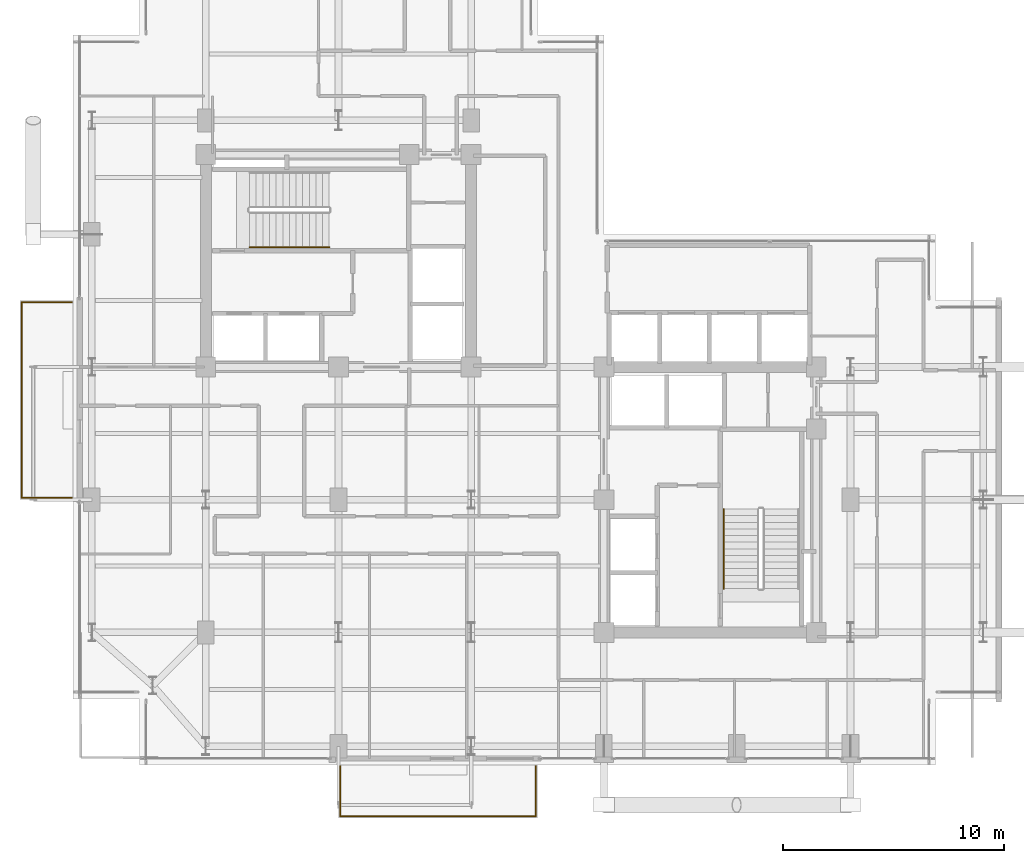
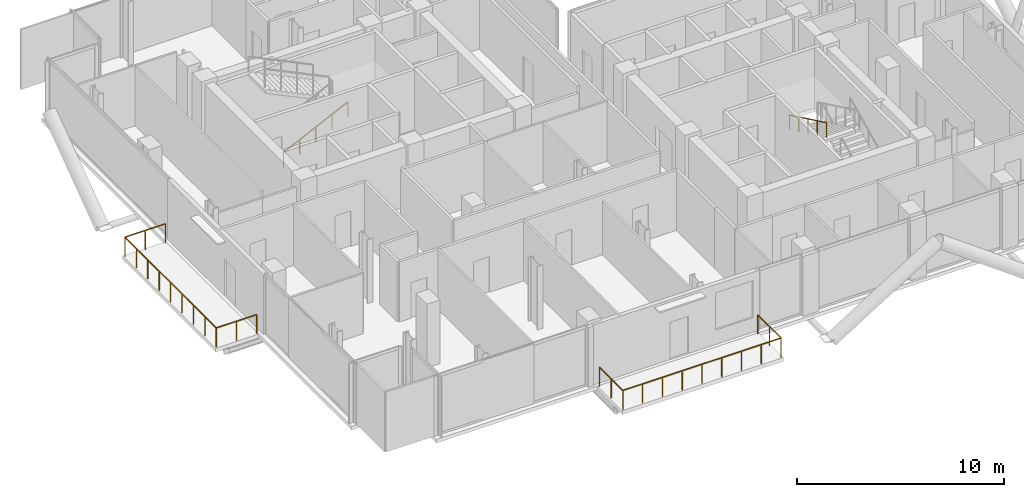
# One storey, part 21 of 22: 4 railings.
"""IFC4 building model written with IfcOpenShell, lengths in metres."""

from ifc_helpers import new_model, si_unit, direction, frame, origin, origin_2d, place, context, subcontext, project, spatial, rectangle, extrude, material, type_object, element, save


model = new_model("IFC4")

# Units and contexts
model_context = context("Model", 3, precision=1e-05, world=origin(), true_north=direction((0.0, 1.0)))
body_context = subcontext(model_context, "Body", "Model", "MODEL_VIEW")
ifc_project = project(units=[si_unit("LENGTHUNIT", "METRE"), si_unit("AREAUNIT", "SQUARE_METRE"), si_unit("VOLUMEUNIT", "CUBIC_METRE"), si_unit("PLANEANGLEUNIT", "RADIAN"), si_unit("MASSUNIT", "GRAM", prefix="KILO"), si_unit("THERMODYNAMICTEMPERATUREUNIT", "KELVIN"), si_unit("POWERUNIT", "WATT")], contexts=[model_context])

# Site, building, storey
site_placement = place(None, origin())
site = spatial("IfcSite", under=ifc_project, at=site_placement, CompositionType="ELEMENT")
building_placement = place(site_placement, origin())
building = spatial("IfcBuilding", under=site, at=building_placement, Name="Svarakhadi Broadcast Tower", CompositionType="ELEMENT")
storey_placement = place(building_placement, frame((0.0, 0.0, 191.699951171875)))
storey = spatial("IfcBuildingStorey", under=building, at=storey_placement, Name="L47", CompositionType="ELEMENT", Elevation=191.699951171875)

# Railings
ifc_material_1 = material(Name="Laminated Structural SentryGlas Balustrade 25.5 mm", Category="glass")
railing_type_1 = type_object("IfcRailingType", Name="Guard_Balcony_GR01", PredefinedType="BALUSTRADE", material=ifc_material_1)
railing_1_placement = place(storey_placement, frame((12.080078125, -0.06005859375, 0.0)))
element("IfcRailing", 1, at=railing_1_placement, inside=storey, type_object=railing_type_1, Name="L47 South Tree Balcony Guard GR-05", PredefinedType="BALUSTRADE", context=body_context, shape_type="SweptSolid", body=[
    extrude(rectangle(XDim=0.048095703125, YDim=0.048095703125, at=origin_2d()), frame((0.0, 0.0, 1.1259765625), z_axis=(0.0, -1.0, 0.0), x_axis=(1.0, 0.0, 0.0)), (0.0, 0.0, 1.0), 2.260009765625),
    extrude(rectangle(XDim=0.048095703125, YDim=0.048095703125, at=origin_2d()), frame((0.0, -2.260009765625, 1.1259765625), z_axis=(1.0, 0.0, 0.0), x_axis=(0.0, 1.0, 0.0)), (0.0, 0.0, 1.0), 8.83984375),
    extrude(rectangle(XDim=0.048095703125, YDim=0.048095703125, at=origin_2d()), frame((8.83984375, -2.260009765625, 1.1259765625), z_axis=(0.0, 1.0, 0.0), x_axis=(-1.0, 0.0, 0.0)), (0.0, 0.0, 1.0), 2.260009765625),
    extrude(rectangle(XDim=0.0419921875, YDim=0.0419921875, at=origin_2d()), origin(), (0.0, 0.0, 1.0), 1.101806640625),
    extrude(rectangle(XDim=0.0419921875, YDim=0.0419921875, at=origin_2d()), frame((0.0, -1.1298828125, 0.0)), (0.0, 0.0, 1.0), 1.101806640625),
    extrude(rectangle(XDim=0.0419921875, YDim=0.0419921875, at=origin_2d()), frame((0.0, -2.260009765625, 0.0)), (0.0, 0.0, 1.0), 1.101806640625),
    extrude(rectangle(XDim=0.0419921875, YDim=0.0419921875, at=origin_2d()), frame((1.10498046875, -2.260009765625, 0.0)), (0.0, 0.0, 1.0), 1.101806640625),
    extrude(rectangle(XDim=0.0419921875, YDim=0.0419921875, at=origin_2d()), frame((2.2099609375, -2.260009765625, 0.0)), (0.0, 0.0, 1.0), 1.101806640625),
    extrude(rectangle(XDim=0.0419921875, YDim=0.0419921875, at=origin_2d()), frame((3.31494140625, -2.260009765625, 0.0)), (0.0, 0.0, 1.0), 1.101806640625),
    extrude(rectangle(XDim=0.0419921875, YDim=0.0419921875, at=origin_2d()), frame((4.419921875, -2.260009765625, 0.0)), (0.0, 0.0, 1.0), 1.101806640625),
    extrude(rectangle(XDim=0.0419921875, YDim=0.0419921875, at=origin_2d()), frame((5.52490234375, -2.260009765625, 0.0)), (0.0, 0.0, 1.0), 1.101806640625),
    extrude(rectangle(XDim=0.0419921875, YDim=0.0419921875, at=origin_2d()), frame((6.6298828125, -2.260009765625, 0.0)), (0.0, 0.0, 1.0), 1.101806640625),
    extrude(rectangle(XDim=0.0419921875, YDim=0.0419921875, at=origin_2d()), frame((7.73486328125, -2.260009765625, 0.0)), (0.0, 0.0, 1.0), 1.101806640625),
    extrude(rectangle(XDim=0.0419921875, YDim=0.0419921875, at=origin_2d()), frame((8.83984375, -2.260009765625, 0.0)), (0.0, 0.0, 1.0), 1.101806640625),
    extrude(rectangle(XDim=0.0419921875, YDim=0.0419921875, at=origin_2d()), frame((8.83984375, -1.1298828125, 0.0)), (0.0, 0.0, 1.0), 1.101806640625),
    extrude(rectangle(XDim=0.0419921875, YDim=0.0419921875, at=origin_2d()), frame((8.83984375, 0.0, 0.0)), (0.0, 0.0, 1.0), 1.101806640625),
])
railing_2_placement = place(storey_placement, frame((-0.06005859375, 12.080078125, 0.0)))
element("IfcRailing", 2, at=railing_2_placement, inside=storey, type_object=railing_type_1, Name="L47 West Tree Balcony Guard GR-05", PredefinedType="BALUSTRADE", context=body_context, shape_type="SweptSolid", body=[
    extrude(rectangle(XDim=0.048095703125, YDim=0.048095703125, at=origin_2d()), frame((0.0, 0.0, 1.1259765625), z_axis=(-1.0, 0.0, 0.0), x_axis=(0.0, -1.0, 0.0)), (0.0, 0.0, 1.0), 2.260009765625),
    extrude(rectangle(XDim=0.048095703125, YDim=0.048095703125, at=origin_2d()), frame((-2.260009765625, 0.0, 1.1259765625), z_axis=(0.0, 1.0, 0.0), x_axis=(-1.0, 0.0, 0.0)), (0.0, 0.0, 1.0), 8.83984375),
    extrude(rectangle(XDim=0.048095703125, YDim=0.048095703125, at=origin_2d()), frame((-2.260009765625, 8.83984375, 1.1259765625), z_axis=(1.0, 0.0, 0.0), x_axis=(0.0, 1.0, 0.0)), (0.0, 0.0, 1.0), 2.260009765625),
    extrude(rectangle(XDim=0.0419921875, YDim=0.0419921875, at=origin_2d()), origin(), (0.0, 0.0, 1.0), 1.101806640625),
    extrude(rectangle(XDim=0.0419921875, YDim=0.0419921875, at=origin_2d()), frame((-1.1298828125, 0.0, 0.0)), (0.0, 0.0, 1.0), 1.101806640625),
    extrude(rectangle(XDim=0.0419921875, YDim=0.0419921875, at=origin_2d()), frame((-2.260009765625, 0.0, 0.0)), (0.0, 0.0, 1.0), 1.101806640625),
    extrude(rectangle(XDim=0.0419921875, YDim=0.0419921875, at=origin_2d()), frame((-2.260009765625, 1.10498046875, 0.0)), (0.0, 0.0, 1.0), 1.101806640625),
    extrude(rectangle(XDim=0.0419921875, YDim=0.0419921875, at=origin_2d()), frame((-2.260009765625, 2.2099609375, 0.0)), (0.0, 0.0, 1.0), 1.101806640625),
    extrude(rectangle(XDim=0.0419921875, YDim=0.0419921875, at=origin_2d()), frame((-2.260009765625, 3.31494140625, 0.0)), (0.0, 0.0, 1.0), 1.101806640625),
    extrude(rectangle(XDim=0.0419921875, YDim=0.0419921875, at=origin_2d()), frame((-2.260009765625, 4.419921875, 0.0)), (0.0, 0.0, 1.0), 1.101806640625),
    extrude(rectangle(XDim=0.0419921875, YDim=0.0419921875, at=origin_2d()), frame((-2.260009765625, 5.52490234375, 0.0)), (0.0, 0.0, 1.0), 1.101806640625),
    extrude(rectangle(XDim=0.0419921875, YDim=0.0419921875, at=origin_2d()), frame((-2.260009765625, 6.6298828125, 0.0)), (0.0, 0.0, 1.0), 1.101806640625),
    extrude(rectangle(XDim=0.0419921875, YDim=0.0419921875, at=origin_2d()), frame((-2.260009765625, 7.73486328125, 0.0)), (0.0, 0.0, 1.0), 1.101806640625),
    extrude(rectangle(XDim=0.0419921875, YDim=0.0419921875, at=origin_2d()), frame((-2.260009765625, 8.83984375, 0.0)), (0.0, 0.0, 1.0), 1.101806640625),
    extrude(rectangle(XDim=0.0419921875, YDim=0.0419921875, at=origin_2d()), frame((-1.1298828125, 8.83984375, 0.0)), (0.0, 0.0, 1.0), 1.101806640625),
    extrude(rectangle(XDim=0.0419921875, YDim=0.0419921875, at=origin_2d()), frame((0.0, 8.83984375, 0.0)), (0.0, 0.0, 1.0), 1.101806640625),
])
ifc_material_2 = material(Name="Anodised Bronze Aluminium AA 6063-T6", Category="aluminium")
railing_type_2 = type_object("IfcRailingType", Name="Handrail_Stair_HR01", PredefinedType="HANDRAIL", material=ifc_material_2)
railing_3_placement = place(storey_placement, frame((7.97998046875, 23.409912109375, 0.144287109375)))
element("IfcRailing", 3, at=railing_3_placement, inside=storey, type_object=railing_type_2, Name="L47 ST-01 stair handrail 1", PredefinedType="HANDRAIL", context=body_context, shape_type="SweptSolid", body=[
    extrude(rectangle(XDim=0.048095703125, YDim=0.048095703125, at=origin_2d()), frame((0.0, 0.0, 0.8759765625), z_axis=(0.901262522062, 0.0, 0.433273431364), x_axis=(0.0, 1.0, 0.0)), (0.0, 0.0, 1.0), 3.994384765625),
    extrude(rectangle(XDim=0.0419921875, YDim=0.0419921875, at=origin_2d()), origin(), (0.0, 0.0, 1.0), 0.851806640625),
    extrude(rectangle(XDim=0.0419921875, YDim=0.0419921875, at=origin_2d()), frame((0.89990234375, 0.0, 0.4326171875)), (0.0, 0.0, 1.0), 0.851806640625),
    extrude(rectangle(XDim=0.0419921875, YDim=0.0419921875, at=origin_2d()), frame((1.800048828125, 0.0, 0.865234375)), (0.0, 0.0, 1.0), 0.851806640625),
    extrude(rectangle(XDim=0.0419921875, YDim=0.0419921875, at=origin_2d()), frame((2.7001953125, 0.0, 1.298095703125)), (0.0, 0.0, 1.0), 0.851806640625),
    extrude(rectangle(XDim=0.0419921875, YDim=0.0419921875, at=origin_2d()), frame((3.60009765625, 0.0, 1.730712890625)), (0.0, 0.0, 1.0), 0.851806640625),
])
railing_4_placement = place(storey_placement, frame((29.409912109375, 11.580078125, 2.019287109375)))
element("IfcRailing", 4, at=railing_4_placement, inside=storey, type_object=railing_type_2, Name="L47 ST-02 stair handrail 2", PredefinedType="HANDRAIL", context=body_context, shape_type="SweptSolid", body=[
    extrude(rectangle(XDim=0.048095703125, YDim=0.048095703125, at=origin_2d()), frame((0.0, 0.0, 0.8759765625), z_axis=(0.0, -0.901262522062, 0.433273431364), x_axis=(1.0, 0.0, 0.0)), (0.0, 0.0, 1.0), 3.994384765625),
    extrude(rectangle(XDim=0.0419921875, YDim=0.0419921875, at=origin_2d()), origin(), (0.0, 0.0, 1.0), 0.851806640625),
    extrude(rectangle(XDim=0.0419921875, YDim=0.0419921875, at=origin_2d()), frame((0.0, -0.89990234375, 0.4326171875)), (0.0, 0.0, 1.0), 0.851806640625),
    extrude(rectangle(XDim=0.0419921875, YDim=0.0419921875, at=origin_2d()), frame((0.0, -1.800048828125, 0.865234375)), (0.0, 0.0, 1.0), 0.851806640625),
    extrude(rectangle(XDim=0.0419921875, YDim=0.0419921875, at=origin_2d()), frame((0.0, -2.7001953125, 1.298095703125)), (0.0, 0.0, 1.0), 0.851806640625),
    extrude(rectangle(XDim=0.0419921875, YDim=0.0419921875, at=origin_2d()), frame((0.0, -3.60009765625, 1.730712890625)), (0.0, 0.0, 1.0), 0.851806640625),
])

save(model, "model.ifc")
